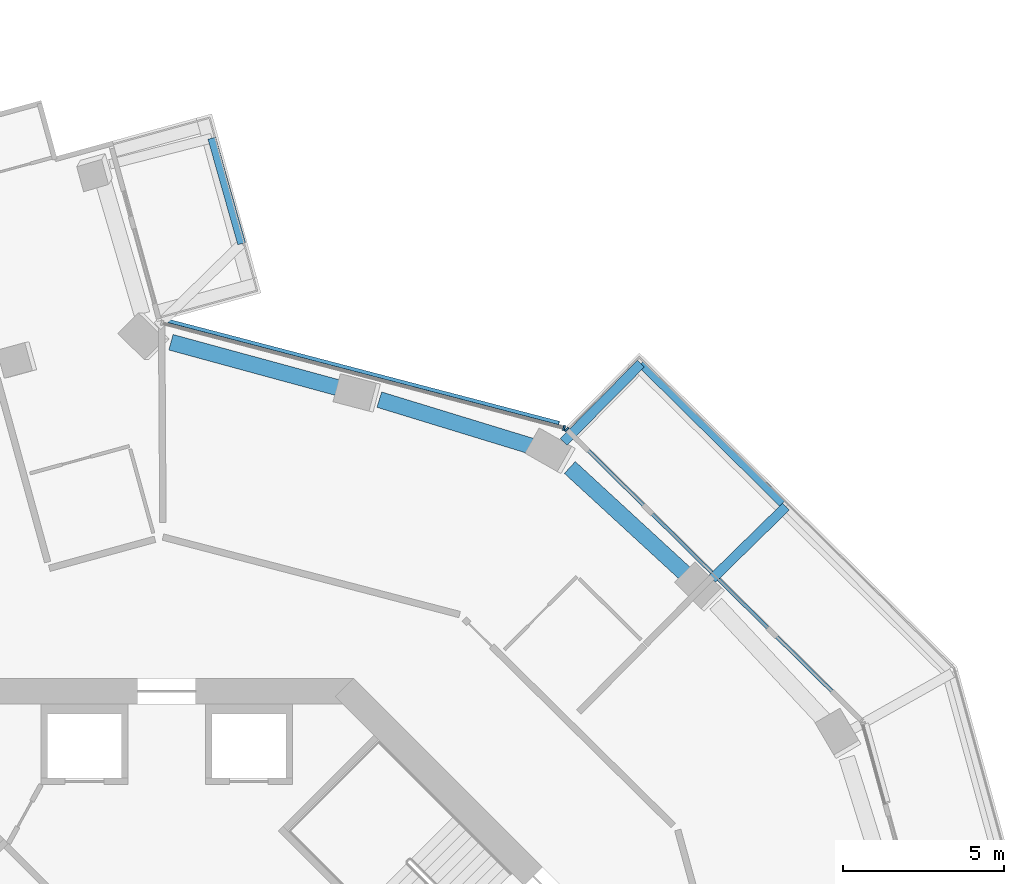
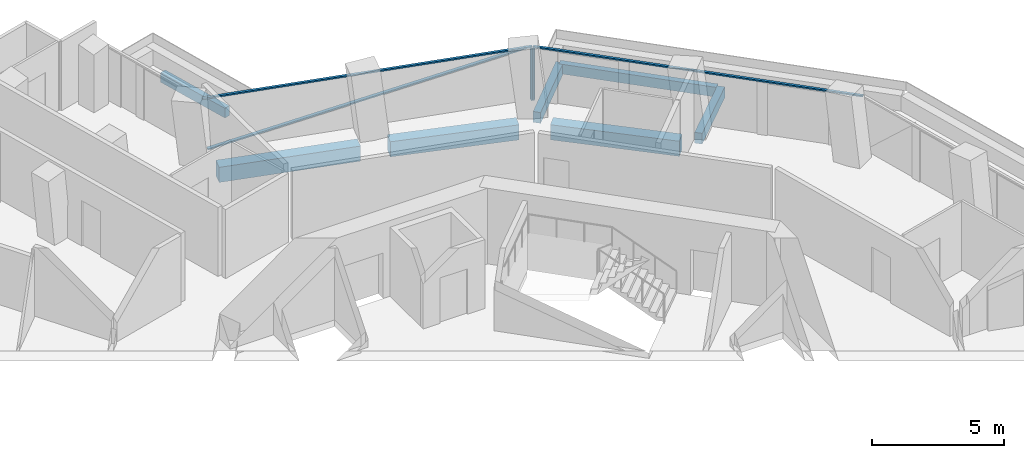
# One storey, part 10 of 26: 7 beams, 5 members, 2 elements without a shape of their own.
"""IFC4 building model written with IfcOpenShell, lengths in metres."""

from ifc_helpers import new_model, si_unit, direction, frame, origin, origin_2d, place, context, subcontext, project, spatial, rectangle, extrude, material, layer, layer_set, material_profile, profile_set, type_object, element, aggregate, save


model = new_model("IFC4")

# Units and contexts
model_context = context("Model", 3, precision=1e-05, world=origin(), true_north=direction((0.0, 1.0)))
body_context = subcontext(model_context, "Body", "Model", "MODEL_VIEW")
ifc_project = project(units=[si_unit("LENGTHUNIT", "METRE"), si_unit("AREAUNIT", "SQUARE_METRE"), si_unit("VOLUMEUNIT", "CUBIC_METRE"), si_unit("PLANEANGLEUNIT", "RADIAN"), si_unit("MASSUNIT", "GRAM", prefix="KILO")], contexts=[model_context])

# Site, building, storey
site_placement = place(None, origin())
site = spatial("IfcSite", under=ifc_project, at=site_placement, CompositionType="ELEMENT")
building_placement = place(site_placement, origin())
building = spatial("IfcBuilding", under=site, at=building_placement, Name="Verdalira Terraces Hotel", CompositionType="ELEMENT")
storey_placement = place(building_placement, frame((0.0, 0.0, 96.5)))
storey = spatial("IfcBuildingStorey", under=building, at=storey_placement, Name="L22", CompositionType="ELEMENT", Elevation=96.5)

# Beams
ifc_material_1 = material(Name="Concrete C40", Category="concrete")
ifc_material_profile_1 = material_profile(ifc_material_1, rectangle(XDim=0.300049, YDim=0.5, at=origin_2d()), Name="RC 300X500")
ifc_profile_set_1 = profile_set([ifc_material_profile_1], Name="Concrete C40")
beam_type_1 = type_object("IfcBeamType", Name="Balcony cantilever beam RC 300X500 C40", PredefinedType="BEAM", material=ifc_profile_set_1)
beam_1_placement = place(storey_placement, frame((16.93457, 17.088135, -0.560059), z_axis=(0.714466736, 0.69966941, 0.0), x_axis=(-0.69966941, 0.714466736, 0.0)))
element("IfcBeam", 1, at=beam_1_placement, inside=storey, type_object=beam_type_1, Name="Balcony cantilever beam R39-4", PredefinedType="BEAM", context=body_context, shape_type="SweptSolid", body=[
    extrude(rectangle(XDim=0.300049, YDim=0.5, at=origin_2d()), origin(), (0.0, 0.0, 1.0), 3.200684),
])
beam_2_placement = place(storey_placement, frame((12.321289, 21.339111, -0.560059), z_axis=(0.702663306, 0.711522508, 0.0), x_axis=(-0.711522508, 0.702663306, 0.0)))
element("IfcBeam", 2, at=beam_2_placement, inside=storey, type_object=beam_type_1, Name="Balcony cantilever beam R39-5", PredefinedType="BEAM", context=body_context, shape_type="SweptSolid", body=[
    extrude(rectangle(XDim=0.300049, YDim=0.5, at=origin_2d()), origin(), (0.0, 0.0, 1.0), 3.417236),
])
ifc_material_2 = material(Name="Concrete C40", Category="concrete")
ifc_material_profile_2 = material_profile(ifc_material_2, rectangle(XDim=0.25, YDim=0.449951, at=origin_2d()), Name="RC 250X450")
ifc_profile_set_2 = profile_set([ifc_material_profile_2], Name="Concrete C40")
beam_type_2 = type_object("IfcBeamType", Name="Balcony edge beam RC 250X450 C40", PredefinedType="BEAM", material=ifc_profile_set_2)
beam_3_placement = place(storey_placement, frame((2.325439, 27.493896, -0.534912), z_axis=(-0.271942557, 0.962313486, 0.0), x_axis=(-0.962313486, -0.271942557, 0.0)))
element("IfcBeam", 3, at=beam_3_placement, inside=storey, type_object=beam_type_2, Name="Balcony edge beam R00-1", PredefinedType="BEAM", context=body_context, shape_type="SweptSolid", body=[
    extrude(rectangle(XDim=0.25, YDim=0.449951, at=origin_2d()), origin(), (0.0, 0.0, 1.0), 3.401611),
])
beam_4_placement = place(storey_placement, frame((19.114746, 19.433105, -0.534912), z_axis=(-0.711542146, 0.702643419, 0.0), x_axis=(-0.702643419, -0.711542146, 0.0)))
element("IfcBeam", 4, at=beam_4_placement, inside=storey, type_object=beam_type_2, Name="Balcony edge beam R39-4", PredefinedType="BEAM", context=body_context, shape_type="SweptSolid", body=[
    extrude(rectangle(XDim=0.25, YDim=0.449951, at=origin_2d()), origin(), (0.0, 0.0, 1.0), 6.173096),
])

# Curtain wall, member
ifc_material_3 = material(Name="Clear glass", Category="glass")
ifc_layer = layer(ifc_material_3, 0.14990234375)
ifc_layer_set = layer_set([ifc_layer], Name="CW1 curtain wall")
curtain_wall_type = type_object("IfcCurtainWallType", Name="CW1 curtain wall", PredefinedType="NOTDEFINED", material=ifc_layer_set)
curtain_wall_1_placement = place(storey_placement, origin())
curtain_wall_1 = element("IfcCurtainWall", 5, at=curtain_wall_1_placement, inside=storey, type_object=curtain_wall_type, Name="CW1 curtain wall L22 edge 40", PredefinedType="NOTDEFINED")
ifc_material_4 = material(Name="Terracotta frame", Category="masonry")
ifc_material_profile_3 = material_profile(ifc_material_4, rectangle(XDim=0.060059, YDim=0.149902, at=origin_2d()), Name="MU 60x150")
ifc_profile_set_3 = profile_set([ifc_material_profile_3], Name="Terracotta frame")
member_type_1 = type_object("IfcMemberType", Name="CW1 mullion 60x150", PredefinedType="MULLION", material=ifc_profile_set_3)
member_1_placement = place(storey_placement, frame((12.41748, 21.725098, 0.0), z_axis=(0.0, 0.0, 1.0), x_axis=(-0.711535677, 0.70264997, 0.0)))
member_1 = element("IfcMember", 6, at=member_1_placement, type_object=member_type_1, Name="CW1 mullion", PredefinedType="MULLION", context=body_context, shape_type="SweptSolid", body=[
    extrude(rectangle(XDim=0.060059, YDim=0.149902, at=origin_2d()), origin(), (0.0, 0.0, 1.0), 2.425049),
])

curtain_wall_2_placement = place(storey_placement, origin())
curtain_wall_2 = element("IfcCurtainWall", 7, at=curtain_wall_2_placement, inside=storey, type_object=curtain_wall_type, Name="CW1 curtain wall L22 edge 41", PredefinedType="NOTDEFINED")
member_2_placement = place(storey_placement, frame((12.333252, 21.772949, 0.0), z_axis=(0.0, 0.0, 1.0), x_axis=(-0.967532957, 0.252744885, 0.0)))
member_2 = element("IfcMember", 8, at=member_2_placement, type_object=member_type_1, Name="CW1 mullion", PredefinedType="MULLION", context=body_context, shape_type="SweptSolid", body=[
    extrude(rectangle(XDim=0.060059, YDim=0.149902, at=origin_2d()), origin(), (0.0, 0.0, 1.0), 2.425049),
])

# Member
ifc_material_5 = material(Name="Terracotta frame", Category="masonry")
ifc_material_profile_4 = material_profile(ifc_material_5, rectangle(XDim=0.110107, YDim=0.064941, at=origin_2d()), Name="TR 65x110")
ifc_profile_set_4 = profile_set([ifc_material_profile_4], Name="Terracotta frame")
member_type_2 = type_object("IfcMemberType", Name="CW1 transom 65x110", PredefinedType="USERDEFINED", material=ifc_profile_set_4)
member_3_placement = place(storey_placement, frame((21.588867, 12.668213, 2.45752), z_axis=(-0.711533544, 0.70265213, 0.0), x_axis=(-0.70265213, -0.711533544, 0.0)))
member_3 = element("IfcMember", 9, at=member_3_placement, type_object=member_type_2, Name="CW1 transom", ObjectType="TRANSOM", PredefinedType="USERDEFINED", context=body_context, shape_type="SweptSolid", body=[
    extrude(rectangle(XDim=0.110107, YDim=0.064941, at=origin_2d()), origin(), (0.0, 0.0, 1.0), 12.919922),
])

aggregate(curtain_wall_1, [member_1, member_3])

member_4_placement = place(storey_placement, frame((12.362305, 21.765381, 2.45752), z_axis=(-0.967530994, 0.252752401, 0.0), x_axis=(-0.252752401, -0.967530994, 0.0)))
member_4 = element("IfcMember", 10, at=member_4_placement, type_object=member_type_2, Name="CW1 transom", ObjectType="TRANSOM", PredefinedType="USERDEFINED", context=body_context, shape_type="SweptSolid", body=[
    extrude(rectangle(XDim=0.110107, YDim=0.064941, at=origin_2d()), origin(), (0.0, 0.0, 1.0), 12.959961),
])

ifc_material_6 = material(Name="Terracotta frame", Category="masonry")
ifc_material_profile_5 = material_profile(ifc_material_6, rectangle(XDim=0.149902, YDim=0.060059, at=origin_2d()), Name="GB 60x150")
ifc_profile_set_5 = profile_set([ifc_material_profile_5], Name="Terracotta frame")
member_type_3 = type_object("IfcMemberType", Name="Diagonal glazing bar 60x150", PredefinedType="USERDEFINED", material=ifc_profile_set_5)
member_5_placement = place(storey_placement, frame((12.173828, 21.906738, 2.395264), z_axis=(-0.950723764, 0.248350532, -0.185597247), x_axis=(-0.252741691, -0.967533791, 0.0)))
member_5 = element("IfcMember", 11, at=member_5_placement, type_object=member_type_3, Name="Diagonal glazing bar", ObjectType="GLAZING BAR", PredefinedType="USERDEFINED", context=body_context, shape_type="SweptSolid", body=[
    extrude(rectangle(XDim=0.149902, YDim=0.060059, at=origin_2d()), origin(), (0.0, 0.0, 1.0), 12.745117),
])

aggregate(curtain_wall_2, [member_2, member_4, member_5])

# Beams
ifc_material_7 = material(Name="Concrete C70", Category="concrete")
ifc_material_profile_6 = material_profile(ifc_material_7, rectangle(XDim=0.5, YDim=0.699951, at=origin_2d()), Name="RC 500X700")
ifc_profile_set_6 = profile_set([ifc_material_profile_6], Name="Concrete C70")
beam_type_3 = type_object("IfcBeamType", Name="Spandrel beam RC 500X700 C70", PredefinedType="SPANDREL", material=ifc_profile_set_6)
beam_5_placement = place(storey_placement, frame((16.201416, 17.149902, -0.659912), z_axis=(-0.735773727, 0.677227453, 0.0), x_axis=(-0.677227453, -0.735773727, 0.0)))
element("IfcBeam", 12, at=beam_5_placement, inside=storey, type_object=beam_type_3, Name="Spandrel beam B27", PredefinedType="SPANDREL", context=body_context, shape_type="SweptSolid", body=[
    extrude(rectangle(XDim=0.5, YDim=0.699951, at=origin_2d()), origin(), (0.0, 0.0, 1.0), 5.012451),
])
beam_6_placement = place(storey_placement, frame((11.39502, 21.183105, -0.659912), z_axis=(-0.956219973, 0.292648874, 0.0), x_axis=(-0.292648874, -0.956219973, 0.0)))
element("IfcBeam", 13, at=beam_6_placement, inside=storey, type_object=beam_type_3, Name="Spandrel beam B28", PredefinedType="SPANDREL", context=body_context, shape_type="SweptSolid", body=[
    extrude(rectangle(XDim=0.5, YDim=0.699951, at=origin_2d()), origin(), (0.0, 0.0, 1.0), 5.015381),
])
beam_7_placement = place(storey_placement, frame((5.481445, 22.974365, -0.659912), z_axis=(-0.964836939, 0.262849161, 0.0), x_axis=(-0.262849161, -0.964836939, 0.0)))
element("IfcBeam", 14, at=beam_7_placement, inside=storey, type_object=beam_type_3, Name="Spandrel beam B29", PredefinedType="SPANDREL", context=body_context, shape_type="SweptSolid", body=[
    extrude(rectangle(XDim=0.5, YDim=0.699951, at=origin_2d()), origin(), (0.0, 0.0, 1.0), 5.545166),
])

save(model, "model.ifc")
